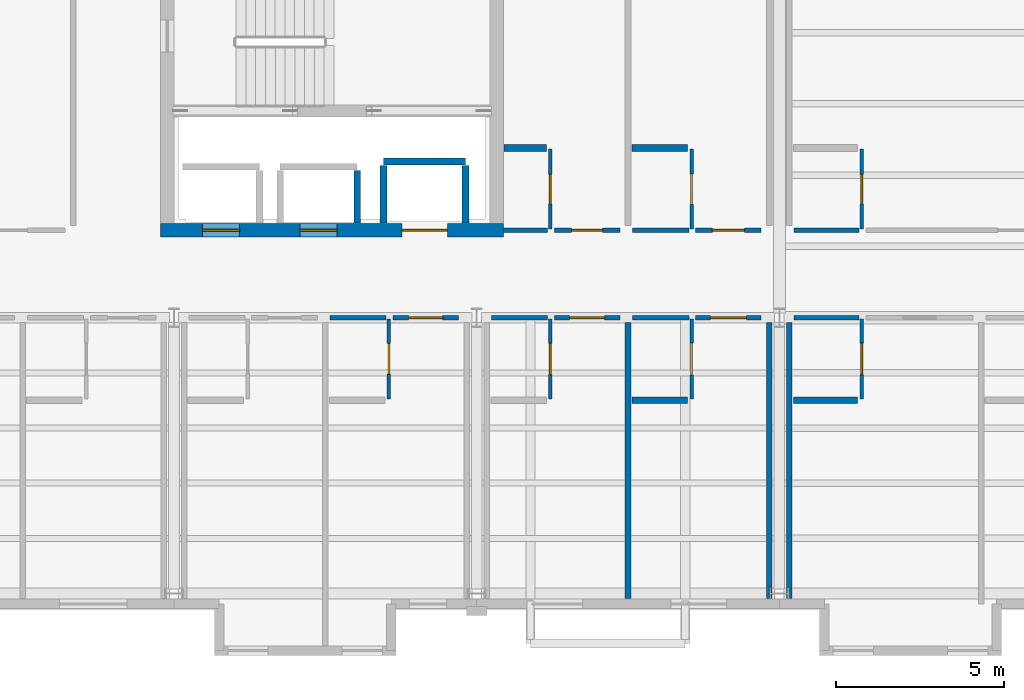
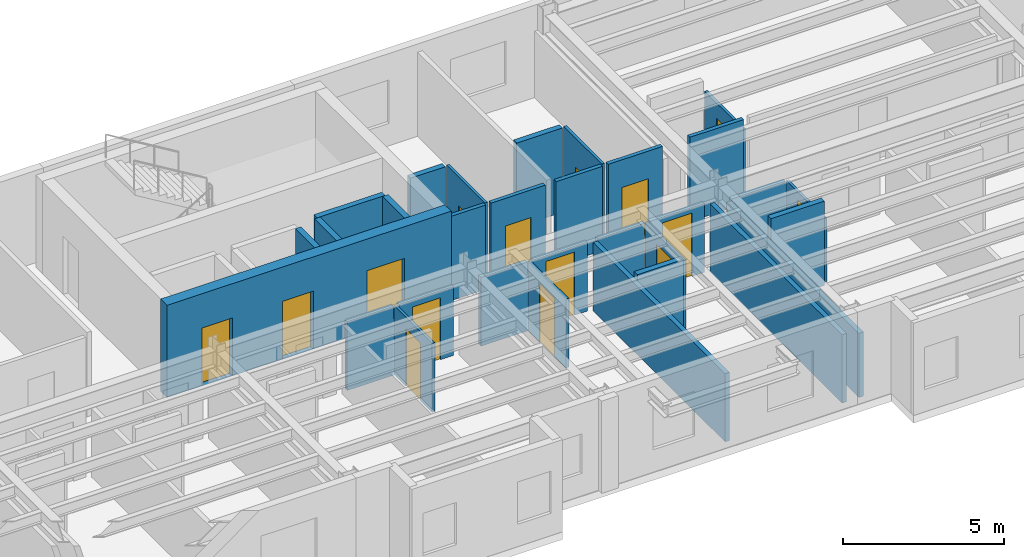
# One storey, part 10 of 17: 31 walls, 15 doors, 15 openings.
"""IFC4 building model written with IfcOpenShell, lengths in metres."""

import ifcopenshell
import ifcopenshell.guid

model = None  # the IFC model being written
_history = None  # IfcOwnerHistory: only IFC2X3 demands one
_inside = {}  # id of a spatial element -> (the spatial element, [elements in it])
_under = {}  # id of a project, library or spatial element -> (it, [spatial elements below it])
_declared = {}  # id of a project -> (the project, [libraries it declares])
_typed = {}  # id of a type object -> (the type object, [elements of that type])
_made_of = {}  # id of a material, layer set ... -> (it, [elements and type objects made of it])


def new_model(schema):
    """Start an empty IFC model of exactly this schema.

    Asked for "IFC4X3", IfcOpenShell would pick the latest addendum, in which some entities
    have other attributes; the version numbers below select the first issue.
    IFC2X3 requires an IfcOwnerHistory on every rooted entity: one is made here for all.
    """
    global model, _history
    if schema == "IFC4X3":
        model = ifcopenshell.file(schema_version=(4, 3, 0, 0))
    else:
        model = ifcopenshell.file(schema=schema)
    _inside.clear()
    _under.clear()
    _declared.clear()
    _typed.clear()
    _made_of.clear()
    _history = None
    if model.schema == "IFC2X3":
        org = make("IfcOrganization", Name="unknown")
        user = make(
            "IfcPersonAndOrganization",
            ThePerson=make("IfcPerson", FamilyName="unknown"),
            TheOrganization=org,
        )
        app = make(
            "IfcApplication",
            ApplicationDeveloper=org,
            Version="unknown",
            ApplicationFullName="unknown",
            ApplicationIdentifier="unknown",
        )
        _history = make(
            "IfcOwnerHistory",
            OwningUser=user,
            OwningApplication=app,
            ChangeAction="ADDED",
            CreationDate=0,
        )
    return model


def make(cls, **values):
    """One entity of the class cls with the attributes given. An attribute that is None is left unset."""
    return model.create_entity(
        cls, **{name: value for name, value in values.items() if value is not None}
    )


def rooted(cls, **values):
    """An entity with a GlobalId (a new one), such as an element, a storey or a relation."""
    return make(cls, GlobalId=ifcopenshell.guid.new(), OwnerHistory=_history, **values)


def si_unit(unit_type, name, prefix=None):
    """IfcSIUnit, for example si_unit("LENGTHUNIT", "METRE", prefix="MILLI")."""
    return make("IfcSIUnit", UnitType=unit_type, Prefix=prefix, Name=name)


def assignment(units):
    """IfcUnitAssignment: the units of a project."""
    return None if units is None else make("IfcUnitAssignment", Units=units)


def point(xyz):
    """IfcCartesianPoint."""
    return None if xyz is None else make("IfcCartesianPoint", Coordinates=xyz)


def direction(xyz):
    """IfcDirection."""
    return None if xyz is None else make("IfcDirection", DirectionRatios=xyz)


def frame(location, z_axis=None, x_axis=None):
    """IfcAxis2Placement3D, a coordinate frame: its origin and axes. An axis left out is left unset."""
    return make(
        "IfcAxis2Placement3D",
        Location=point(location),
        Axis=direction(z_axis),
        RefDirection=direction(x_axis),
    )


def frame_2d(location, x_axis=None):
    """IfcAxis2Placement2D, a coordinate frame in the plane: its origin and x axis."""
    return make(
        "IfcAxis2Placement2D", Location=point(location), RefDirection=direction(x_axis)
    )


def origin():
    """The frame at (0, 0, 0) with its axes left unset."""
    return frame((0.0, 0.0, 0.0))


def place(relative_to, where):
    """IfcLocalPlacement: puts the frame where relative to a parent placement (None: the world)."""
    return make(
        "IfcLocalPlacement", PlacementRelTo=relative_to, RelativePlacement=where
    )


def context(
    kind, dimensions, precision=None, world=None, true_north=None, identifier=None
):
    """IfcGeometricRepresentationContext, for example the 3D "Model" context."""
    return make(
        "IfcGeometricRepresentationContext",
        ContextIdentifier=identifier,
        ContextType=kind,
        CoordinateSpaceDimension=dimensions,
        Precision=precision,
        WorldCoordinateSystem=world,
        TrueNorth=true_north,
    )


def subcontext(parent, identifier, kind, view, scale=None):
    """IfcGeometricRepresentationSubContext, for example "Body" below "Model"."""
    return make(
        "IfcGeometricRepresentationSubContext",
        ContextIdentifier=identifier,
        ContextType=kind,
        ParentContext=parent,
        TargetScale=scale,
        TargetView=view,
    )


def project(units=None, contexts=None):
    """IfcProject with its units and contexts."""
    return rooted(
        "IfcProject",
        Name="project",
        RepresentationContexts=contexts,
        UnitsInContext=assignment(units),
    )


def spatial(cls, under=None, at=None, **own):
    """A site, building, storey or space (cls), placed at a placement, below another one or the project."""
    s = rooted(cls, ObjectPlacement=at, **own)
    if under is not None:
        _under.setdefault(under.id(), (under, []))[1].append(s)
    return s


def profile(cls, at=None, kind="AREA", **sizes):
    """A parametric profile (cls). Its sizes go by their IFC names, for example OverallWidth=200.0."""
    return make(cls, ProfileType=kind, Position=at, **sizes)


def rectangle(**sizes):
    """IfcRectangleProfileDef."""
    return profile("IfcRectangleProfileDef", **sizes)


def extrude(swept, where, along, depth):
    """IfcExtrudedAreaSolid: the profile swept, set in the frame where, extruded along a direction by depth."""
    return make(
        "IfcExtrudedAreaSolid",
        SweptArea=swept,
        Position=where,
        ExtrudedDirection=direction(along),
        Depth=depth,
    )


def shape(context_of_items, identifier, shape_type, items):
    """IfcShapeRepresentation: the items that make up one representation, for example the "Body"."""
    return make(
        "IfcShapeRepresentation",
        ContextOfItems=context_of_items,
        RepresentationIdentifier=identifier,
        RepresentationType=shape_type,
        Items=items,
    )


def material(Name=None, Category=None):
    """IfcMaterial."""
    return make("IfcMaterial", Name=Name, Category=Category)


def layer(
    of_material, thickness, ventilated=None, Name=None, Category=None, Priority=None
):
    """IfcMaterialLayer: one layer of a wall or slab, of a material (None: an air gap)."""
    return make(
        "IfcMaterialLayer",
        Material=of_material,
        LayerThickness=thickness,
        IsVentilated=ventilated,
        Name=Name,
        Category=Category,
        Priority=Priority,
    )


def layer_set(layers, Name=None):
    """IfcMaterialLayerSet."""
    return make("IfcMaterialLayerSet", MaterialLayers=layers, LayerSetName=Name)


def made_of(thing, what):
    """Note that an element or type object is made of a material, layer set ...; save() writes the relation."""
    if what is not None:
        _made_of.setdefault(what.id(), (what, []))[1].append(thing)
    return thing


def type_object(cls, material=None, **own):
    """A type object (cls), such as IfcWallType, which elements share."""
    return made_of(rooted(cls, **own), material)


def element(
    cls,
    number,
    at=None,
    inside=None,
    cuts=None,
    type_object=None,
    material=None,
    context=None,
    identifier="Body",
    shape_type=None,
    held_by="IfcProductDefinitionShape",
    body=None,
    shapes=None,
    **own,
):
    """One element of the class cls, such as IfcWall. Its Tag is "e" and its number.

    at: its placement. inside: the storey or other place that contains it. cuts: it is an
    opening in that element (IfcRelVoidsElement). A single representation is given by context,
    identifier, shape_type and body (its items); several are given by shapes. held_by: the class
    of the entity that holds the representations. save() writes the other relations.
    """
    e = rooted(cls, Tag="e%d" % number, ObjectPlacement=at, **own)
    if body is not None:
        shapes = [shape(context, identifier, shape_type, body)]
    if shapes is not None:
        e.Representation = make(held_by, Representations=shapes)
    if inside is not None:
        _inside.setdefault(inside.id(), (inside, []))[1].append(e)
    if cuts is not None:
        rooted(
            "IfcRelVoidsElement", RelatingBuildingElement=cuts, RelatedOpeningElement=e
        )
    if type_object is not None:
        _typed.setdefault(type_object.id(), (type_object, []))[1].append(e)
    return made_of(e, material)


def fill(opening, filler):
    """IfcRelFillsElement: the door or window that sits in an opening."""
    return rooted(
        "IfcRelFillsElement",
        RelatingOpeningElement=opening,
        RelatedBuildingElement=filler,
    )


def aggregate(whole, parts):
    """IfcRelAggregates: a whole, such as a stair, and the parts it consists of."""
    return rooted("IfcRelAggregates", RelatingObject=whole, RelatedObjects=parts)


def save(model, path):
    """Write the relations noted so far, then the file.

    IfcRelAggregates (storeys below a building ...), IfcRelContainedInSpatialStructure (elements
    in a storey), IfcRelDefinesByType, IfcRelAssociatesMaterial and IfcRelDeclares: one each for
    every whole, place, type object, material and project.
    """
    for whole, parts in _under.values():
        aggregate(whole, parts)
    for where, things in _inside.values():
        rooted(
            "IfcRelContainedInSpatialStructure",
            RelatedElements=things,
            RelatingStructure=where,
        )
    for kind, things in _typed.values():
        rooted("IfcRelDefinesByType", RelatedObjects=things, RelatingType=kind)
    for what, things in _made_of.values():
        rooted("IfcRelAssociatesMaterial", RelatedObjects=things, RelatingMaterial=what)
    for by, libraries in _declared.values():
        rooted("IfcRelDeclares", RelatingContext=by, RelatedDefinitions=libraries)
    model.write(path)


model = new_model("IFC4")

# Units and contexts
model_context = context("Model", 3, precision=1e-05, world=origin(), true_north=direction((0.0, 1.0)))
body_context = subcontext(model_context, "Body", "Model", "MODEL_VIEW")
ifc_project = project(units=[si_unit("LENGTHUNIT", "METRE"), si_unit("AREAUNIT", "SQUARE_METRE"), si_unit("VOLUMEUNIT", "CUBIC_METRE"), si_unit("PLANEANGLEUNIT", "RADIAN"), si_unit("MASSUNIT", "GRAM", prefix="KILO")], contexts=[model_context])

# Site, building, storey
site_placement = place(None, origin())
site = spatial("IfcSite", under=ifc_project, at=site_placement, CompositionType="ELEMENT")
building_placement = place(site_placement, origin())
building = spatial("IfcBuilding", under=site, at=building_placement, Name="Sollismere Congress Hotel", CompositionType="ELEMENT")
storey_placement = place(building_placement, frame((0.0, 0.0, 37.60009765625)))
storey = spatial("IfcBuildingStorey", under=building, at=storey_placement, Name="L09", CompositionType="ELEMENT", Elevation=37.60009765625)

# Walls
ifc_material_1 = material(Name="Moisture-Resistant Shaft Gypsum Assembly")
ifc_layer_1 = layer(ifc_material_1, 0.199951171875, Name="Moisture-Resistant Shaft Gypsum Assembly")
ifc_layer_set_1 = layer_set([ifc_layer_1], Name="Moisture-Resistant Shaft Gypsum Assembly")
wall_type_1 = type_object("IfcWallType", Name="WL-PLM200", PredefinedType="PLUMBINGWALL", material=ifc_layer_set_1)
wall_1_placement = place(storey_placement, frame((99.445068359375, 11.011962890625, 0.0), z_axis=(0.0, 0.0, 1.0), x_axis=(0.0, 1.0, 0.0)))
element("IfcWall", 1, at=wall_1_placement, inside=storey, type_object=wall_type_1, Name="Interior wall IW-L09-0348", PredefinedType="PLUMBINGWALL", context=body_context, shape_type="SweptSolid", body=[
    extrude(rectangle(XDim=1.56591796875, YDim=0.199951171875, at=frame_2d((0.782958984375, 0.0))), origin(), (0.0, 0.0, 1.0), 3.199951171875),
])
wall_2_placement = place(storey_placement, frame((100.22998046875, 12.844970703125, 0.0), z_axis=(0.0, 0.0, 1.0), x_axis=(1.0, 0.0, 0.0)))
element("IfcWall", 2, at=wall_2_placement, inside=storey, type_object=wall_type_1, Name="Interior wall IW-L09-0349", PredefinedType="PLUMBINGWALL", context=body_context, shape_type="SweptSolid", body=[
    extrude(rectangle(XDim=2.43994140625, YDim=0.199951171875, at=frame_2d((1.219970703125, 0.0))), origin(), (0.0, 0.0, 1.0), 3.199951171875),
])
for number, where, z_axis, x_axis, name in (
    (3, (100.22998046875, 11.011962890625, 0.0), (0.0, 0.0, 1.0), (0.0, 1.0, 0.0), "Interior wall IW-L09-0350"),
    (4, (102.669921875, 11.011962890625, 0.0), (0.0, 0.0, 1.0), (0.0, 1.0, 0.0), "Interior wall IW-L09-0351"),
):
    element("IfcWall", number, at=place(storey_placement, frame(where, z_axis=z_axis, x_axis=x_axis)), inside=storey, type_object=wall_type_1, Name=name, PredefinedType="PLUMBINGWALL", context=body_context, shape_type="SweptSolid", body=[
        extrude(rectangle(XDim=1.720947265625, YDim=0.199951171875, at=frame_2d((0.8603515625, 0.0))), origin(), (0.0, 0.0, 1.0), 3.199951171875),
    ])
wall_3_placement = place(storey_placement, frame((107.6201171875, 5.75, 0.0), z_axis=(0.0, 0.0, 1.0), x_axis=(1.0, 0.0, 0.0)))
element("IfcWall", 5, at=wall_3_placement, inside=storey, type_object=wall_type_1, Name="Interior wall IW-L09-2642", PredefinedType="PLUMBINGWALL", context=body_context, shape_type="SweptSolid", body=[
    extrude(rectangle(XDim=1.64990234375, YDim=0.199951171875, at=frame_2d((0.824951171875, 0.0))), origin(), (0.0, 0.0, 1.0), 2.7529296875),
])
wall_4_placement = place(storey_placement, frame((103.81201171875, 13.25, 0.0), z_axis=(0.0, 0.0, 1.0), x_axis=(1.0, 0.0, 0.0)))
element("IfcWall", 6, at=wall_4_placement, inside=storey, type_object=wall_type_1, Name="Interior wall IW-L09-2647", PredefinedType="PLUMBINGWALL", context=body_context, shape_type="SweptSolid", body=[
    extrude(rectangle(XDim=1.258056640625, YDim=0.199951171875, at=frame_2d((0.62890625, 0.0))), origin(), (0.0, 0.0, 1.0), 3.199951171875),
])
wall_5_placement = place(storey_placement, frame((107.6201171875, 13.25, 0.0), z_axis=(0.0, 0.0, 1.0), x_axis=(1.0, 0.0, 0.0)))
element("IfcWall", 7, at=wall_5_placement, inside=storey, type_object=wall_type_1, Name="Interior wall IW-L09-2652", PredefinedType="PLUMBINGWALL", context=body_context, shape_type="SweptSolid", body=[
    extrude(rectangle(XDim=1.64990234375, YDim=0.199951171875, at=frame_2d((0.824951171875, 0.0))), origin(), (0.0, 0.0, 1.0), 3.199951171875),
])
wall_6_placement = place(storey_placement, frame((112.419921875, 5.75, 0.0), z_axis=(0.0, 0.0, 1.0), x_axis=(1.0, 0.0, 0.0)))
element("IfcWall", 8, at=wall_6_placement, inside=storey, type_object=wall_type_1, Name="Interior wall IW-L09-2658", PredefinedType="PLUMBINGWALL", context=body_context, shape_type="SweptSolid", body=[
    extrude(rectangle(XDim=1.91015625, YDim=0.199951171875, at=frame_2d((0.955078125, 0.0))), origin(), (0.0, 0.0, 1.0), 3.199951171875),
])

# Wall, opening, door
ifc_material_2 = material(Name="Moisture-Resistant Gypsum Partition")
ifc_layer_2 = layer(ifc_material_2, 0.10009765625, Name="Moisture-Resistant Gypsum Partition")
ifc_layer_set_2 = layer_set([ifc_layer_2], Name="Moisture-Resistant Gypsum Partition")
wall_type_2 = type_object("IfcWallType", Name="WL-PRT100", PredefinedType="PARTITIONING", material=ifc_layer_set_2)
wall_7_placement = place(storey_placement, frame((100.389892578125, 5.7900390625, 0.0), z_axis=(0.0, 0.0, 1.0), x_axis=(0.0, 1.0, 0.0)))
wall_7 = element("IfcWall", 9, at=wall_7_placement, inside=storey, type_object=wall_type_2, Name="Interior wall IW-L09-2630", PredefinedType="PARTITIONING", context=body_context, shape_type="SweptSolid", body=[
    extrude(rectangle(XDim=2.369873046875, YDim=0.10009765625, at=frame_2d((1.18505859375, 0.0))), origin(), (0.0, 0.0, 1.0), 2.61279296875),
])
opening_1_placement = place(wall_7_placement, frame((0.73291015625, 0.0, 0.0)))
opening_1 = element("IfcOpeningElement", 10, at=opening_1_placement, cuts=wall_7, Name="Opening D-L09-0929", PredefinedType="OPENING", context=body_context, shape_type="SweptSolid", body=[
    extrude(rectangle(XDim=0.905029296875, YDim=2.179931640625, at=frame_2d((0.45263671875, 1.08984375))), frame((0.0, 0.06005859375, 0.0), z_axis=(0.0, -1.0, 0.0), x_axis=(1.0, 0.0, 0.0)), (0.0, 0.0, 1.0), 0.1201171875),
])
ifc_material_3 = material(Name="Moisture-Sealed Timber Bathroom Door", Category="wood")
door_type_1 = type_object("IfcDoorType", Name="DR-BT06", OperationType="NOTDEFINED", PredefinedType="DOOR", material=ifc_material_3)
door_1_placement = place(opening_1_placement, origin())
door_1 = element("IfcDoor", 11, at=door_1_placement, inside=storey, type_object=door_type_1, Name="En-suite bathroom door D-L09-0929", OperationType="SINGLE_SWING_RIGHT", OverallHeight=2.179931640625, OverallWidth=0.905029296875, PredefinedType="DOOR", context=body_context, shape_type="SweptSolid", body=[
    extrude(rectangle(XDim=0.905029296875, YDim=2.179931640625, at=frame_2d((0.45263671875, 1.08984375))), frame((0.0, 0.02490234375, 0.0), z_axis=(0.0, -1.0, 0.0), x_axis=(1.0, 0.0, 0.0)), (0.0, 0.0, 1.0), 0.050048828125),
])
fill(opening_1, door_1)

wall_8_placement = place(storey_placement, frame((105.18994140625, 5.7900390625, 0.0), z_axis=(0.0, 0.0, 1.0), x_axis=(0.0, 1.0, 0.0)))
wall_8 = element("IfcWall", 12, at=wall_8_placement, inside=storey, type_object=wall_type_2, Name="Interior wall IW-L09-2636", PredefinedType="PARTITIONING", context=body_context, shape_type="SweptSolid", body=[
    extrude(rectangle(XDim=2.369873046875, YDim=0.10009765625, at=frame_2d((1.18505859375, 0.0))), origin(), (0.0, 0.0, 1.0), 2.61279296875),
])
opening_2_placement = place(wall_8_placement, frame((0.719970703125, 0.0, 0.0)))
opening_2 = element("IfcOpeningElement", 13, at=opening_2_placement, cuts=wall_8, Name="Opening D-L09-0931", PredefinedType="OPENING", context=body_context, shape_type="SweptSolid", body=[
    extrude(rectangle(XDim=0.929931640625, YDim=2.219970703125, at=frame_2d((0.46484375, 1.10986328125))), frame((0.0, 0.06005859375, 0.0), z_axis=(0.0, -1.0, 0.0), x_axis=(1.0, 0.0, 0.0)), (0.0, 0.0, 1.0), 0.1201171875),
])
door_type_2 = type_object("IfcDoorType", Name="DR-BT07", OperationType="NOTDEFINED", PredefinedType="DOOR", material=ifc_material_3)
door_2_placement = place(opening_2_placement, origin())
door_2 = element("IfcDoor", 14, at=door_2_placement, inside=storey, type_object=door_type_2, Name="En-suite bathroom door D-L09-0931", OperationType="SINGLE_SWING_RIGHT", OverallHeight=2.219970703125, OverallWidth=0.929931640625, PredefinedType="DOOR", context=body_context, shape_type="SweptSolid", body=[
    extrude(rectangle(XDim=0.929931640625, YDim=2.219970703125, at=frame_2d((0.46484375, 1.10986328125))), frame((0.0, 0.02490234375, 0.0), z_axis=(0.0, -1.0, 0.0), x_axis=(1.0, 0.0, 0.0)), (0.0, 0.0, 1.0), 0.050048828125),
])
fill(opening_2, door_2)

wall_9_placement = place(storey_placement, frame((109.389892578125, 5.7900390625, 0.0), z_axis=(0.0, 0.0, 1.0), x_axis=(0.0, 1.0, 0.0)))
wall_9 = element("IfcWall", 15, at=wall_9_placement, inside=storey, type_object=wall_type_2, Name="Interior wall IW-L09-2641", PredefinedType="PARTITIONING", context=body_context, shape_type="SweptSolid", body=[
    extrude(rectangle(XDim=2.369873046875, YDim=0.10009765625, at=frame_2d((1.18505859375, 0.0))), origin(), (0.0, 0.0, 1.0), 2.61279296875),
])
opening_3_placement = place(wall_9_placement, frame((0.7080078125, 0.0, 0.0)))
opening_3 = element("IfcOpeningElement", 16, at=opening_3_placement, cuts=wall_9, Name="Opening D-L09-0933", PredefinedType="OPENING", context=body_context, shape_type="SweptSolid", body=[
    extrude(rectangle(XDim=0.955078125, YDim=2.219970703125, at=frame_2d((0.4775390625, 1.10986328125))), frame((0.0, 0.06005859375, 0.0), z_axis=(0.0, -1.0, 0.0), x_axis=(1.0, 0.0, 0.0)), (0.0, 0.0, 1.0), 0.1201171875),
])
door_type_3 = type_object("IfcDoorType", Name="DR-BT08", OperationType="NOTDEFINED", PredefinedType="DOOR", material=ifc_material_3)
door_3_placement = place(opening_3_placement, origin())
door_3 = element("IfcDoor", 17, at=door_3_placement, inside=storey, type_object=door_type_3, Name="En-suite bathroom door D-L09-0933", OperationType="SINGLE_SWING_RIGHT", OverallHeight=2.219970703125, OverallWidth=0.955078125, PredefinedType="DOOR", context=body_context, shape_type="SweptSolid", body=[
    extrude(rectangle(XDim=0.955078125, YDim=2.219970703125, at=frame_2d((0.4775390625, 1.10986328125))), frame((0.0, 0.02490234375, 0.0), z_axis=(0.0, -1.0, 0.0), x_axis=(1.0, 0.0, 0.0)), (0.0, 0.0, 1.0), 0.050048828125),
])
fill(opening_3, door_3)

wall_10_placement = place(storey_placement, frame((105.18994140625, 10.840087890625, 0.0), z_axis=(0.0, 0.0, 1.0), x_axis=(0.0, 1.0, 0.0)))
wall_10 = element("IfcWall", 18, at=wall_10_placement, inside=storey, type_object=wall_type_2, Name="Interior wall IW-L09-2646", PredefinedType="PARTITIONING", context=body_context, shape_type="SweptSolid", body=[
    extrude(rectangle(XDim=2.369873046875, YDim=0.10009765625, at=frame_2d((1.18505859375, 0.0))), origin(), (0.0, 0.0, 1.0), 3.199951171875),
])
opening_4_placement = place(wall_10_placement, frame((0.7451171875, 0.0, 0.0)))
opening_4 = element("IfcOpeningElement", 19, at=opening_4_placement, cuts=wall_10, Name="Opening D-L09-0935", PredefinedType="OPENING", context=body_context, shape_type="SweptSolid", body=[
    extrude(rectangle(XDim=0.8798828125, YDim=2.10009765625, at=frame_2d((0.43994140625, 1.050048828125))), frame((0.0, 0.06005859375, 0.0), z_axis=(0.0, -1.0, 0.0), x_axis=(1.0, 0.0, 0.0)), (0.0, 0.0, 1.0), 0.1201171875),
])
door_type_4 = type_object("IfcDoorType", Name="DR-BT01", OperationType="NOTDEFINED", PredefinedType="DOOR", material=ifc_material_3)
door_4_placement = place(opening_4_placement, origin())
door_4 = element("IfcDoor", 20, at=door_4_placement, inside=storey, type_object=door_type_4, Name="En-suite bathroom door D-L09-0935", OperationType="SINGLE_SWING_RIGHT", OverallHeight=2.10009765625, OverallWidth=0.8798828125, PredefinedType="DOOR", context=body_context, shape_type="SweptSolid", body=[
    extrude(rectangle(XDim=0.8798828125, YDim=2.10009765625, at=frame_2d((0.43994140625, 1.050048828125))), frame((0.0, 0.02490234375, 0.0), z_axis=(0.0, -1.0, 0.0), x_axis=(1.0, 0.0, 0.0)), (0.0, 0.0, 1.0), 0.050048828125),
])
fill(opening_4, door_4)

wall_11_placement = place(storey_placement, frame((109.389892578125, 10.840087890625, 0.0), z_axis=(0.0, 0.0, 1.0), x_axis=(0.0, 1.0, 0.0)))
wall_11 = element("IfcWall", 21, at=wall_11_placement, inside=storey, type_object=wall_type_2, Name="Interior wall IW-L09-2651", PredefinedType="PARTITIONING", context=body_context, shape_type="SweptSolid", body=[
    extrude(rectangle(XDim=2.369873046875, YDim=0.10009765625, at=frame_2d((1.18505859375, 0.0))), origin(), (0.0, 0.0, 1.0), 3.199951171875),
])
opening_5_placement = place(wall_11_placement, frame((0.73291015625, 0.0, 0.0)))
opening_5 = element("IfcOpeningElement", 22, at=opening_5_placement, cuts=wall_11, Name="Opening D-L09-0937", PredefinedType="OPENING", context=body_context, shape_type="SweptSolid", body=[
    extrude(rectangle(XDim=0.905029296875, YDim=2.10009765625, at=frame_2d((0.45263671875, 1.050048828125))), frame((0.0, 0.06005859375, 0.0), z_axis=(0.0, -1.0, 0.0), x_axis=(1.0, 0.0, 0.0)), (0.0, 0.0, 1.0), 0.1201171875),
])
door_type_5 = type_object("IfcDoorType", Name="DR-BT02", OperationType="NOTDEFINED", PredefinedType="DOOR", material=ifc_material_3)
door_5_placement = place(opening_5_placement, origin())
door_5 = element("IfcDoor", 23, at=door_5_placement, inside=storey, type_object=door_type_5, Name="En-suite bathroom door D-L09-0937", OperationType="SINGLE_SWING_RIGHT", OverallHeight=2.10009765625, OverallWidth=0.905029296875, PredefinedType="DOOR", context=body_context, shape_type="SweptSolid", body=[
    extrude(rectangle(XDim=0.905029296875, YDim=2.10009765625, at=frame_2d((0.45263671875, 1.050048828125))), frame((0.0, 0.02490234375, 0.0), z_axis=(0.0, -1.0, 0.0), x_axis=(1.0, 0.0, 0.0)), (0.0, 0.0, 1.0), 0.050048828125),
])
fill(opening_5, door_5)

wall_12_placement = place(storey_placement, frame((114.449951171875, 5.7900390625, 0.0), z_axis=(0.0, 0.0, 1.0), x_axis=(0.0, 1.0, 0.0)))
wall_12 = element("IfcWall", 24, at=wall_12_placement, inside=storey, type_object=wall_type_2, Name="Interior wall IW-L09-2657", PredefinedType="PARTITIONING", context=body_context, shape_type="SweptSolid", body=[
    extrude(rectangle(XDim=2.369873046875, YDim=0.10009765625, at=frame_2d((1.18505859375, 0.0))), origin(), (0.0, 0.0, 1.0), 2.43798828125),
])
opening_6_placement = place(wall_12_placement, frame((0.719970703125, 0.0, 0.0)))
opening_6 = element("IfcOpeningElement", 25, at=opening_6_placement, cuts=wall_12, Name="Opening D-L09-0939", PredefinedType="OPENING", context=body_context, shape_type="SweptSolid", body=[
    extrude(rectangle(XDim=0.929931640625, YDim=2.139892578125, at=frame_2d((0.46484375, 1.06982421875))), frame((0.0, 0.06005859375, 0.0), z_axis=(0.0, -1.0, 0.0), x_axis=(1.0, 0.0, 0.0)), (0.0, 0.0, 1.0), 0.1201171875),
])
door_type_6 = type_object("IfcDoorType", Name="DR-BT03", OperationType="NOTDEFINED", PredefinedType="DOOR", material=ifc_material_3)
door_6_placement = place(opening_6_placement, origin())
door_6 = element("IfcDoor", 26, at=door_6_placement, inside=storey, type_object=door_type_6, Name="En-suite bathroom door D-L09-0939", OperationType="SINGLE_SWING_RIGHT", OverallHeight=2.139892578125, OverallWidth=0.929931640625, PredefinedType="DOOR", context=body_context, shape_type="SweptSolid", body=[
    extrude(rectangle(XDim=0.929931640625, YDim=2.139892578125, at=frame_2d((0.46484375, 1.06982421875))), frame((0.0, 0.02490234375, 0.0), z_axis=(0.0, -1.0, 0.0), x_axis=(1.0, 0.0, 0.0)), (0.0, 0.0, 1.0), 0.050048828125),
])
fill(opening_6, door_6)

wall_13_placement = place(storey_placement, frame((114.449951171875, 10.840087890625, 0.0), z_axis=(0.0, 0.0, 1.0), x_axis=(0.0, 1.0, 0.0)))
wall_13 = element("IfcWall", 27, at=wall_13_placement, inside=storey, type_object=wall_type_2, Name="Interior wall IW-L09-2668", PredefinedType="PARTITIONING", context=body_context, shape_type="SweptSolid", body=[
    extrude(rectangle(XDim=2.369873046875, YDim=0.10009765625, at=frame_2d((1.18505859375, 0.0))), origin(), (0.0, 0.0, 1.0), 2.7578125),
])
opening_7_placement = place(wall_13_placement, frame((0.7451171875, 0.0, 0.0)))
opening_7 = element("IfcOpeningElement", 28, at=opening_7_placement, cuts=wall_13, Name="Opening D-L09-0943", PredefinedType="OPENING", context=body_context, shape_type="SweptSolid", body=[
    extrude(rectangle(XDim=0.8798828125, YDim=2.179931640625, at=frame_2d((0.43994140625, 1.08984375))), frame((0.0, 0.06005859375, 0.0), z_axis=(0.0, -1.0, 0.0), x_axis=(1.0, 0.0, 0.0)), (0.0, 0.0, 1.0), 0.1201171875),
])
door_type_7 = type_object("IfcDoorType", Name="DR-BT05", OperationType="NOTDEFINED", PredefinedType="DOOR", material=ifc_material_3)
door_7_placement = place(opening_7_placement, origin())
door_7 = element("IfcDoor", 29, at=door_7_placement, inside=storey, type_object=door_type_7, Name="En-suite bathroom door D-L09-0943", OperationType="SINGLE_SWING_RIGHT", OverallHeight=2.179931640625, OverallWidth=0.8798828125, PredefinedType="DOOR", context=body_context, shape_type="SweptSolid", body=[
    extrude(rectangle(XDim=0.8798828125, YDim=2.179931640625, at=frame_2d((0.43994140625, 1.08984375))), frame((0.0, 0.02490234375, 0.0), z_axis=(0.0, -1.0, 0.0), x_axis=(1.0, 0.0, 0.0)), (0.0, 0.0, 1.0), 0.050048828125),
])
fill(opening_7, door_7)

# Wall
ifc_material_4 = material(Name="Fire-Rated Gypsum Partition")
ifc_layer_3 = layer(ifc_material_4, 0.139892578125, Name="Fire-Rated Gypsum Partition")
ifc_layer_set_3 = layer_set([ifc_layer_3], Name="Fire-Rated Gypsum Partition")
wall_type_3 = type_object("IfcWallType", Name="WL-PRT140R", PredefinedType="PARTITIONING", material=ifc_layer_set_3)
wall_14_placement = place(storey_placement, frame((98.639892578125, 8.199951171875, 0.0), z_axis=(0.0, 0.0, 1.0), x_axis=(1.0, 0.0, 0.0)))
element("IfcWall", 30, at=wall_14_placement, inside=storey, type_object=wall_type_3, Name="Interior wall IW-L09-2627", PredefinedType="PARTITIONING", context=body_context, shape_type="SweptSolid", body=[
    extrude(rectangle(XDim=1.670166015625, YDim=0.139892578125, at=frame_2d((0.8349609375, 0.0))), origin(), (0.0, 0.0, 1.0), 2.61279296875),
])

# Wall, opening, door
wall_15_placement = place(storey_placement, frame((100.510009765625, 8.199951171875, 0.0), z_axis=(0.0, 0.0, 1.0), x_axis=(1.0, 0.0, 0.0)))
wall_15 = element("IfcWall", 31, at=wall_15_placement, inside=storey, type_object=wall_type_3, Name="Interior wall IW-L09-2628", PredefinedType="PARTITIONING", context=body_context, shape_type="SweptSolid", body=[
    extrude(rectangle(XDim=1.949951171875, YDim=0.139892578125, at=frame_2d((0.97509765625, 0.0))), origin(), (0.0, 0.0, 1.0), 2.61279296875),
])
opening_8_placement = place(wall_15_placement, frame((0.469970703125, 0.0, 0.0)))
opening_8 = element("IfcOpeningElement", 32, at=opening_8_placement, cuts=wall_15, Name="Opening D-L09-0928", PredefinedType="OPENING", context=body_context, shape_type="SweptSolid", body=[
    extrude(rectangle(XDim=1.010009765625, YDim=2.35009765625, at=frame_2d((0.5048828125, 1.175048828125))), frame((0.0, 0.079833984375, 0.0), z_axis=(0.0, -1.0, 0.0), x_axis=(1.0, 0.0, 0.0)), (0.0, 0.0, 1.0), 0.159912109375),
])
ifc_material_5 = material(Name="Solid-Core Acoustic Walnut Guestroom Entry Door")
door_type_8 = type_object("IfcDoorType", Name="DR-KY10", OperationType="NOTDEFINED", PredefinedType="DOOR", material=ifc_material_5)
door_8_placement = place(opening_8_placement, origin())
door_8 = element("IfcDoor", 33, at=door_8_placement, inside=storey, type_object=door_type_8, Name="Hotel room entry door D-L09-0928", OperationType="SINGLE_SWING_LEFT", OverallHeight=2.35009765625, OverallWidth=1.010009765625, PredefinedType="DOOR", context=body_context, shape_type="SweptSolid", body=[
    extrude(rectangle(XDim=1.010009765625, YDim=2.35009765625, at=frame_2d((0.5048828125, 1.175048828125))), frame((0.0, 0.02490234375, 0.0), z_axis=(0.0, -1.0, 0.0), x_axis=(1.0, 0.0, 0.0)), (0.0, 0.0, 1.0), 0.050048828125),
])
fill(opening_8, door_8)

# Wall
wall_16_placement = place(storey_placement, frame((103.43994140625, 8.199951171875, 0.0), z_axis=(0.0, 0.0, 1.0), x_axis=(1.0, 0.0, 0.0)))
element("IfcWall", 34, at=wall_16_placement, inside=storey, type_object=wall_type_3, Name="Interior wall IW-L09-2632", PredefinedType="PARTITIONING", context=body_context, shape_type="SweptSolid", body=[
    extrude(rectangle(XDim=1.670166015625, YDim=0.139892578125, at=frame_2d((0.8349609375, 0.0))), origin(), (0.0, 0.0, 1.0), 2.61279296875),
])

# Wall, opening, door
wall_17_placement = place(storey_placement, frame((105.31005859375, 8.199951171875, 0.0), z_axis=(0.0, 0.0, 1.0), x_axis=(1.0, 0.0, 0.0)))
wall_17 = element("IfcWall", 35, at=wall_17_placement, inside=storey, type_object=wall_type_3, Name="Interior wall IW-L09-2633", PredefinedType="PARTITIONING", context=body_context, shape_type="SweptSolid", body=[
    extrude(rectangle(XDim=1.949951171875, YDim=0.139892578125, at=frame_2d((0.97509765625, 0.0))), origin(), (0.0, 0.0, 1.0), 2.61279296875),
])
opening_9_placement = place(wall_17_placement, frame((0.455078125, 0.0, 0.0)))
opening_9 = element("IfcOpeningElement", 36, at=opening_9_placement, cuts=wall_17, Name="Opening D-L09-0930", PredefinedType="OPENING", context=body_context, shape_type="SweptSolid", body=[
    extrude(rectangle(XDim=1.0400390625, YDim=2.39990234375, at=frame_2d((0.52001953125, 1.199951171875))), frame((0.0, 0.079833984375, 0.0), z_axis=(0.0, -1.0, 0.0), x_axis=(1.0, 0.0, 0.0)), (0.0, 0.0, 1.0), 0.159912109375),
])
door_type_9 = type_object("IfcDoorType", Name="DR-KY11", OperationType="NOTDEFINED", PredefinedType="DOOR", material=ifc_material_5)
door_9_placement = place(opening_9_placement, origin())
door_9 = element("IfcDoor", 37, at=door_9_placement, inside=storey, type_object=door_type_9, Name="Hotel room entry door D-L09-0930", OperationType="SINGLE_SWING_LEFT", OverallHeight=2.39990234375, OverallWidth=1.0400390625, PredefinedType="DOOR", context=body_context, shape_type="SweptSolid", body=[
    extrude(rectangle(XDim=1.0400390625, YDim=2.39990234375, at=frame_2d((0.52001953125, 1.199951171875))), frame((0.0, 0.02490234375, 0.0), z_axis=(0.0, -1.0, 0.0), x_axis=(1.0, 0.0, 0.0)), (0.0, 0.0, 1.0), 0.050048828125),
])
fill(opening_9, door_9)

# Wall
wall_18_placement = place(storey_placement, frame((107.639892578125, 8.199951171875, 0.0), z_axis=(0.0, 0.0, 1.0), x_axis=(1.0, 0.0, 0.0)))
element("IfcWall", 38, at=wall_18_placement, inside=storey, type_object=wall_type_3, Name="Interior wall IW-L09-2638", PredefinedType="PARTITIONING", context=body_context, shape_type="SweptSolid", body=[
    extrude(rectangle(XDim=1.670166015625, YDim=0.139892578125, at=frame_2d((0.8349609375, 0.0))), origin(), (0.0, 0.0, 1.0), 2.61279296875),
])

# Wall, opening, door
wall_19_placement = place(storey_placement, frame((109.510009765625, 8.199951171875, 0.0), z_axis=(0.0, 0.0, 1.0), x_axis=(1.0, 0.0, 0.0)))
wall_19 = element("IfcWall", 39, at=wall_19_placement, inside=storey, type_object=wall_type_3, Name="Interior wall IW-L09-2639", PredefinedType="PARTITIONING", context=body_context, shape_type="SweptSolid", body=[
    extrude(rectangle(XDim=1.949951171875, YDim=0.139892578125, at=frame_2d((0.97509765625, 0.0))), origin(), (0.0, 0.0, 1.0), 2.61279296875),
])
opening_10_placement = place(wall_19_placement, frame((0.43994140625, 0.0, 0.0)))
opening_10 = element("IfcOpeningElement", 40, at=opening_10_placement, cuts=wall_19, Name="Opening D-L09-0932", PredefinedType="OPENING", context=body_context, shape_type="SweptSolid", body=[
    extrude(rectangle(XDim=1.070068359375, YDim=2.39990234375, at=frame_2d((0.53515625, 1.199951171875))), frame((0.0, 0.079833984375, 0.0), z_axis=(0.0, -1.0, 0.0), x_axis=(1.0, 0.0, 0.0)), (0.0, 0.0, 1.0), 0.159912109375),
])
door_type_10 = type_object("IfcDoorType", Name="DR-KY12", OperationType="NOTDEFINED", PredefinedType="DOOR", material=ifc_material_5)
door_10_placement = place(opening_10_placement, origin())
door_10 = element("IfcDoor", 41, at=door_10_placement, inside=storey, type_object=door_type_10, Name="Hotel room entry door D-L09-0932", OperationType="SINGLE_SWING_LEFT", OverallHeight=2.39990234375, OverallWidth=1.070068359375, PredefinedType="DOOR", context=body_context, shape_type="SweptSolid", body=[
    extrude(rectangle(XDim=1.070068359375, YDim=2.39990234375, at=frame_2d((0.53515625, 1.199951171875))), frame((0.0, 0.02490234375, 0.0), z_axis=(0.0, -1.0, 0.0), x_axis=(1.0, 0.0, 0.0)), (0.0, 0.0, 1.0), 0.050048828125),
])
fill(opening_10, door_10)

# Wall
wall_20_placement = place(storey_placement, frame((103.800048828125, 10.800048828125, 0.0), z_axis=(0.0, 0.0, 1.0), x_axis=(1.0, 0.0, 0.0)))
element("IfcWall", 42, at=wall_20_placement, inside=storey, type_object=wall_type_3, Name="Interior wall IW-L09-2643", PredefinedType="PARTITIONING", context=body_context, shape_type="SweptSolid", body=[
    extrude(rectangle(XDim=1.31005859375, YDim=0.139892578125, at=frame_2d((0.655029296875, 0.0))), origin(), (0.0, 0.0, 1.0), 3.199951171875),
])

# Wall, opening, door
wall_21_placement = place(storey_placement, frame((105.31005859375, 10.800048828125, 0.0), z_axis=(0.0, 0.0, 1.0), x_axis=(1.0, 0.0, 0.0)))
wall_21 = element("IfcWall", 43, at=wall_21_placement, inside=storey, type_object=wall_type_3, Name="Interior wall IW-L09-2644", PredefinedType="PARTITIONING", context=body_context, shape_type="SweptSolid", body=[
    extrude(rectangle(XDim=1.949951171875, YDim=0.139892578125, at=frame_2d((0.97509765625, 0.0))), origin(), (0.0, 0.0, 1.0), 3.199951171875),
])
opening_11_placement = place(wall_21_placement, frame((0.514892578125, 0.0, 0.0)))
opening_11 = element("IfcOpeningElement", 44, at=opening_11_placement, cuts=wall_21, Name="Opening D-L09-0934", PredefinedType="OPENING", context=body_context, shape_type="SweptSolid", body=[
    extrude(rectangle(XDim=0.919921875, YDim=2.14990234375, at=frame_2d((0.4599609375, 1.074951171875))), frame((0.0, 0.079833984375, 0.0), z_axis=(0.0, -1.0, 0.0), x_axis=(1.0, 0.0, 0.0)), (0.0, 0.0, 1.0), 0.159912109375),
])
door_type_11 = type_object("IfcDoorType", Name="DR-KY01", OperationType="NOTDEFINED", PredefinedType="DOOR", material=ifc_material_5)
door_11_placement = place(opening_11_placement, origin())
door_11 = element("IfcDoor", 45, at=door_11_placement, inside=storey, type_object=door_type_11, Name="Hotel room entry door D-L09-0934", OperationType="SINGLE_SWING_LEFT", OverallHeight=2.14990234375, OverallWidth=0.919921875, PredefinedType="DOOR", context=body_context, shape_type="SweptSolid", body=[
    extrude(rectangle(XDim=0.919921875, YDim=2.14990234375, at=frame_2d((0.4599609375, 1.074951171875))), frame((0.0, 0.02490234375, 0.0), z_axis=(0.0, -1.0, 0.0), x_axis=(1.0, 0.0, 0.0)), (0.0, 0.0, 1.0), 0.050048828125),
])
fill(opening_11, door_11)

# Wall
wall_22_placement = place(storey_placement, frame((107.639892578125, 10.800048828125, 0.0), z_axis=(0.0, 0.0, 1.0), x_axis=(1.0, 0.0, 0.0)))
element("IfcWall", 46, at=wall_22_placement, inside=storey, type_object=wall_type_3, Name="Interior wall IW-L09-2648", PredefinedType="PARTITIONING", context=body_context, shape_type="SweptSolid", body=[
    extrude(rectangle(XDim=1.670166015625, YDim=0.139892578125, at=frame_2d((0.8349609375, 0.0))), origin(), (0.0, 0.0, 1.0), 3.199951171875),
])

# Wall, opening, door
wall_23_placement = place(storey_placement, frame((109.510009765625, 10.800048828125, 0.0), z_axis=(0.0, 0.0, 1.0), x_axis=(1.0, 0.0, 0.0)))
wall_23 = element("IfcWall", 47, at=wall_23_placement, inside=storey, type_object=wall_type_3, Name="Interior wall IW-L09-2649", PredefinedType="PARTITIONING", context=body_context, shape_type="SweptSolid", body=[
    extrude(rectangle(XDim=1.949951171875, YDim=0.139892578125, at=frame_2d((0.97509765625, 0.0))), origin(), (0.0, 0.0, 1.0), 3.199951171875),
])
opening_12_placement = place(wall_23_placement, frame((0.5, 0.0, 0.0)))
opening_12 = element("IfcOpeningElement", 48, at=opening_12_placement, cuts=wall_23, Name="Opening D-L09-0936", PredefinedType="OPENING", context=body_context, shape_type="SweptSolid", body=[
    extrude(rectangle(XDim=0.949951171875, YDim=2.14990234375, at=frame_2d((0.47509765625, 1.074951171875))), frame((0.0, 0.079833984375, 0.0), z_axis=(0.0, -1.0, 0.0), x_axis=(1.0, 0.0, 0.0)), (0.0, 0.0, 1.0), 0.159912109375),
])
door_type_12 = type_object("IfcDoorType", Name="DR-KY02", OperationType="NOTDEFINED", PredefinedType="DOOR", material=ifc_material_5)
door_12_placement = place(opening_12_placement, origin())
door_12 = element("IfcDoor", 49, at=door_12_placement, inside=storey, type_object=door_type_12, Name="Hotel room entry door D-L09-0936", OperationType="SINGLE_SWING_LEFT", OverallHeight=2.14990234375, OverallWidth=0.949951171875, PredefinedType="DOOR", context=body_context, shape_type="SweptSolid", body=[
    extrude(rectangle(XDim=0.949951171875, YDim=2.14990234375, at=frame_2d((0.47509765625, 1.074951171875))), frame((0.0, 0.02490234375, 0.0), z_axis=(0.0, -1.0, 0.0), x_axis=(1.0, 0.0, 0.0)), (0.0, 0.0, 1.0), 0.050048828125),
])
fill(opening_12, door_12)

# Walls
wall_24_placement = place(storey_placement, frame((112.43994140625, 8.199951171875, 0.0), z_axis=(0.0, 0.0, 1.0), x_axis=(1.0, 0.0, 0.0)))
element("IfcWall", 50, at=wall_24_placement, inside=storey, type_object=wall_type_3, Name="Interior wall IW-L09-2653", PredefinedType="PARTITIONING", context=body_context, shape_type="SweptSolid", body=[
    extrude(rectangle(XDim=1.93017578125, YDim=0.139892578125, at=frame_2d((0.965087890625, 0.0))), origin(), (0.0, 0.0, 1.0), 2.43798828125),
])
wall_25_placement = place(storey_placement, frame((112.43994140625, 10.800048828125, 0.0), z_axis=(0.0, 0.0, 1.0), x_axis=(1.0, 0.0, 0.0)))
element("IfcWall", 51, at=wall_25_placement, inside=storey, type_object=wall_type_3, Name="Interior wall IW-L09-2664", PredefinedType="PARTITIONING", context=body_context, shape_type="SweptSolid", body=[
    extrude(rectangle(XDim=1.93017578125, YDim=0.139892578125, at=frame_2d((0.965087890625, 0.0))), origin(), (0.0, 0.0, 1.0), 3.199951171875),
])
ifc_material_6 = material(Name="Fire-Rated Acoustic Gypsum Partition")
ifc_layer_4 = layer(ifc_material_6, 0.1650390625, Name="Fire-Rated Acoustic Gypsum Partition")
ifc_layer_set_4 = layer_set([ifc_layer_4], Name="Fire-Rated Acoustic Gypsum Partition")
wall_type_4 = type_object("IfcWallType", Name="WL-PRT165R", PredefinedType="PARTITIONING", material=ifc_layer_set_4)
for number, where, z_axis, x_axis, name in (
    (52, (107.5, -0.152587890625, 0.0), (0.0, 0.0, 1.0), (0.0, 1.0, 0.0), "Interior wall IW-L09-2635"),
    (53, (111.699951171875, -0.152587890625, 0.0), (0.0, 0.0, 1.0), (0.0, 1.0, 0.0), "Interior wall IW-L09-2640"),
):
    element("IfcWall", number, at=place(storey_placement, frame(where, z_axis=z_axis, x_axis=x_axis)), inside=storey, type_object=wall_type_4, Name=name, PredefinedType="PARTITIONING", context=body_context, shape_type="SweptSolid", body=[
        extrude(rectangle(XDim=8.212646484375, YDim=0.1650390625, at=frame_2d((4.1064453125, 0.0))), origin(), (0.0, 0.0, 1.0), 2.58984375),
    ])
wall_26_placement = place(storey_placement, frame((112.300048828125, -0.152587890625, 0.0), z_axis=(0.0, 0.0, 1.0), x_axis=(0.0, 1.0, 0.0)))
element("IfcWall", 54, at=wall_26_placement, inside=storey, type_object=wall_type_4, Name="Interior wall IW-L09-2655", PredefinedType="PARTITIONING", context=body_context, shape_type="SweptSolid", body=[
    extrude(rectangle(XDim=8.212646484375, YDim=0.1650390625, at=frame_2d((4.1064453125, 0.0))), origin(), (0.0, 0.0, 1.0), 2.43798828125),
])

# Wall, openings, doors
ifc_material_7 = material(Name="Concrete C50/60", Category="concrete")
ifc_layer_5 = layer(ifc_material_7, 0.39990234375, Name="Concrete C50/60")
ifc_layer_set_5 = layer_set([ifc_layer_5], Name="Concrete C50/60")
wall_type_5 = type_object("IfcWallType", Name="WL-SHR400", PredefinedType="SHEAR", material=ifc_layer_set_5)
wall_27_placement = place(storey_placement, frame((93.60009765625, 10.800048828125, 0.0), z_axis=(0.0, 0.0, 1.0), x_axis=(1.0, 0.0, 0.0)))
wall_27 = element("IfcWall", 55, at=wall_27_placement, inside=storey, type_object=wall_type_5, Name="Interior wall IW-L09-0339", PredefinedType="SHEAR", context=body_context, shape_type="SweptSolid", body=[
    extrude(rectangle(XDim=10.199951171875, YDim=0.39990234375, at=frame_2d((5.10009765625, 0.0))), origin(), (0.0, 0.0, 1.0), 3.5),
])
opening_13_placement = place(wall_27_placement, frame((1.25, 0.0, 0.0)))
opening_13 = element("IfcOpeningElement", 56, at=opening_13_placement, cuts=wall_27, Name="Opening LD-LP-03-L09", PredefinedType="OPENING", context=body_context, shape_type="SweptSolid", body=[
    extrude(rectangle(XDim=1.10009765625, YDim=2.199951171875, at=frame_2d((0.550048828125, 1.10009765625))), frame((0.0, 0.2099609375, 0.0), z_axis=(0.0, -1.0, 0.0), x_axis=(1.0, 0.0, 0.0)), (0.0, 0.0, 1.0), 0.419921875),
])
opening_14_placement = place(wall_27_placement, frame((4.14990234375, 0.0, 0.0)))
opening_14 = element("IfcOpeningElement", 57, at=opening_14_placement, cuts=wall_27, Name="Opening LD-LP-04-L09", PredefinedType="OPENING", context=body_context, shape_type="SweptSolid", body=[
    extrude(rectangle(XDim=1.10009765625, YDim=2.199951171875, at=frame_2d((0.550048828125, 1.10009765625))), frame((0.0, 0.2099609375, 0.0), z_axis=(0.0, -1.0, 0.0), x_axis=(1.0, 0.0, 0.0)), (0.0, 0.0, 1.0), 0.419921875),
])
opening_15_placement = place(wall_27_placement, frame((7.175048828125, 0.0, 0.0)))
opening_15 = element("IfcOpeningElement", 58, at=opening_15_placement, cuts=wall_27, Name="Opening LD-LS-01-L09", PredefinedType="OPENING", context=body_context, shape_type="SweptSolid", body=[
    extrude(rectangle(XDim=1.35009765625, YDim=2.300048828125, at=frame_2d((0.675048828125, 1.14990234375))), frame((0.0, 0.2099609375, 0.0), z_axis=(0.0, -1.0, 0.0), x_axis=(1.0, 0.0, 0.0)), (0.0, 0.0, 1.0), 0.419921875),
])
ifc_material_8 = material(Name="Brushed Bronze Sliding Elevator Landing Door")
door_type_13 = type_object("IfcDoorType", Name="DR-LD110", OperationType="NOTDEFINED", PredefinedType="DOOR", material=ifc_material_8)
door_13_placement = place(opening_13_placement, origin())
door_13 = element("IfcDoor", 59, at=door_13_placement, inside=storey, type_object=door_type_13, Name="Elevator landing door LD-LP-03-L09", OperationType="SLIDING_TO_LEFT", OverallHeight=2.199951171875, OverallWidth=1.10009765625, PredefinedType="DOOR", context=body_context, shape_type="SweptSolid", body=[
    extrude(rectangle(XDim=1.10009765625, YDim=2.199951171875, at=frame_2d((0.550048828125, 1.10009765625))), frame((0.0, 0.02490234375, 0.0), z_axis=(0.0, -1.0, 0.0), x_axis=(1.0, 0.0, 0.0)), (0.0, 0.0, 1.0), 0.050048828125),
])
fill(opening_13, door_13)
door_14_placement = place(opening_14_placement, origin())
door_14 = element("IfcDoor", 60, at=door_14_placement, inside=storey, type_object=door_type_13, Name="Elevator landing door LD-LP-04-L09", OperationType="SLIDING_TO_RIGHT", OverallHeight=2.199951171875, OverallWidth=1.10009765625, PredefinedType="DOOR", context=body_context, shape_type="SweptSolid", body=[
    extrude(rectangle(XDim=1.10009765625, YDim=2.199951171875, at=frame_2d((0.550048828125, 1.10009765625))), frame((0.0, 0.02490234375, 0.0), z_axis=(0.0, -1.0, 0.0), x_axis=(1.0, 0.0, 0.0)), (0.0, 0.0, 1.0), 0.050048828125),
])
fill(opening_14, door_14)
ifc_material_9 = material(Name="Heavy-Duty Stainless Sliding Service Landing Door")
door_type_14 = type_object("IfcDoorType", Name="DR-LD135", OperationType="NOTDEFINED", PredefinedType="DOOR", material=ifc_material_9)
door_15_placement = place(opening_15_placement, origin())
door_15 = element("IfcDoor", 61, at=door_15_placement, inside=storey, type_object=door_type_14, Name="Elevator landing door LD-LS-01-L09", OperationType="SLIDING_TO_LEFT", OverallHeight=2.300048828125, OverallWidth=1.35009765625, PredefinedType="DOOR", context=body_context, shape_type="SweptSolid", body=[
    extrude(rectangle(XDim=1.35009765625, YDim=2.300048828125, at=frame_2d((0.675048828125, 1.14990234375))), frame((0.0, 0.02490234375, 0.0), z_axis=(0.0, -1.0, 0.0), x_axis=(1.0, 0.0, 0.0)), (0.0, 0.0, 1.0), 0.050048828125),
])
fill(opening_15, door_15)

save(model, "model.ifc")
